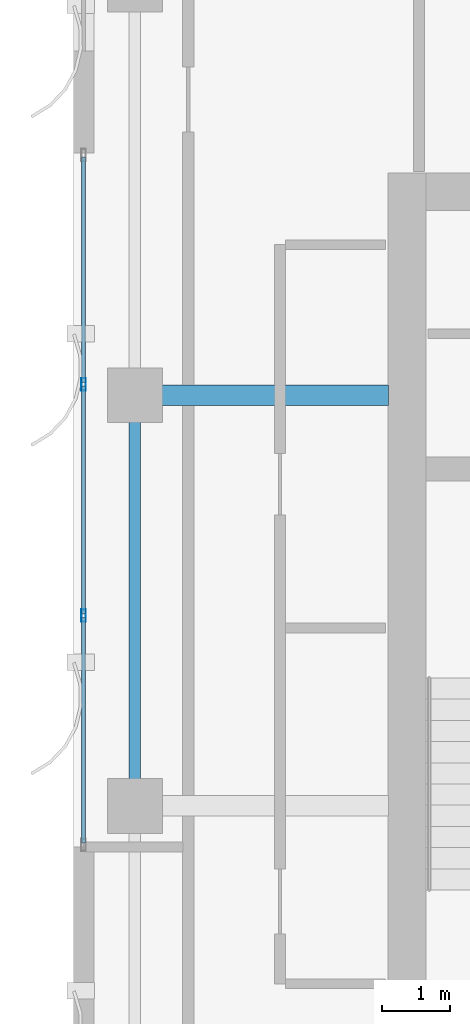
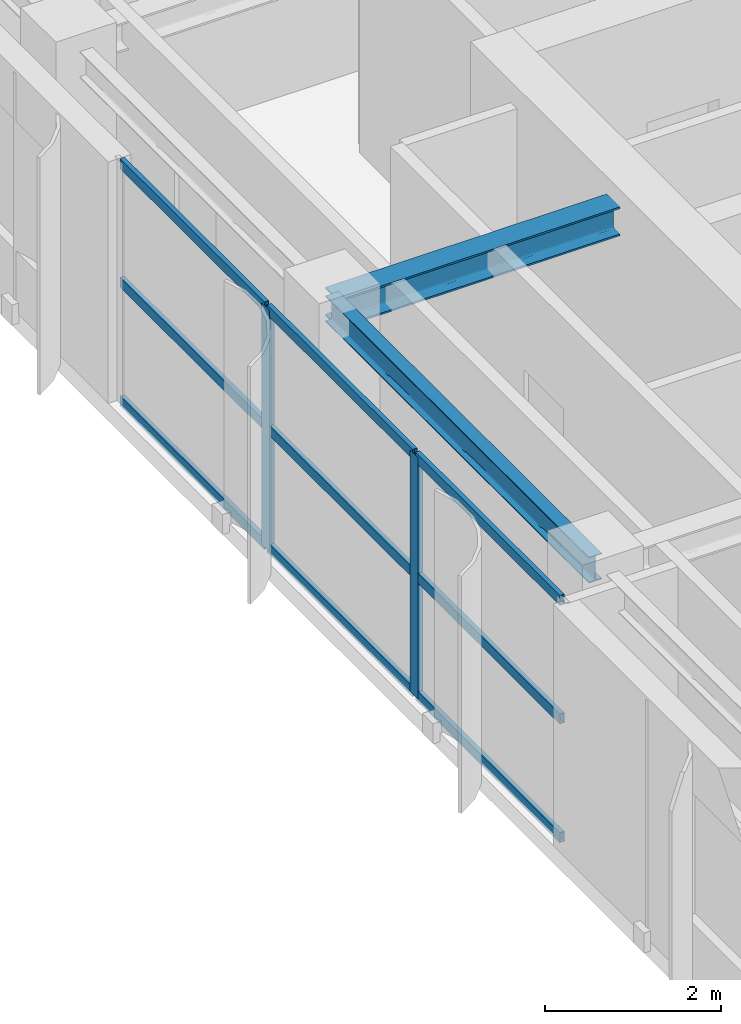
# One storey, part 6 of 24: 11 members, 2 beams, 1 element without a shape of its own.
"""IFC4 building model written with IfcOpenShell, lengths in metres."""

import ifcopenshell
import ifcopenshell.guid

model = None  # the IFC model being written
_history = None  # IfcOwnerHistory: only IFC2X3 demands one
_inside = {}  # id of a spatial element -> (the spatial element, [elements in it])
_under = {}  # id of a project, library or spatial element -> (it, [spatial elements below it])
_declared = {}  # id of a project -> (the project, [libraries it declares])
_typed = {}  # id of a type object -> (the type object, [elements of that type])
_made_of = {}  # id of a material, layer set ... -> (it, [elements and type objects made of it])


def new_model(schema):
    """Start an empty IFC model of exactly this schema.

    Asked for "IFC4X3", IfcOpenShell would pick the latest addendum, in which some entities
    have other attributes; the version numbers below select the first issue.
    IFC2X3 requires an IfcOwnerHistory on every rooted entity: one is made here for all.
    """
    global model, _history
    if schema == "IFC4X3":
        model = ifcopenshell.file(schema_version=(4, 3, 0, 0))
    else:
        model = ifcopenshell.file(schema=schema)
    _inside.clear()
    _under.clear()
    _declared.clear()
    _typed.clear()
    _made_of.clear()
    _history = None
    if model.schema == "IFC2X3":
        org = make("IfcOrganization", Name="unknown")
        user = make(
            "IfcPersonAndOrganization",
            ThePerson=make("IfcPerson", FamilyName="unknown"),
            TheOrganization=org,
        )
        app = make(
            "IfcApplication",
            ApplicationDeveloper=org,
            Version="unknown",
            ApplicationFullName="unknown",
            ApplicationIdentifier="unknown",
        )
        _history = make(
            "IfcOwnerHistory",
            OwningUser=user,
            OwningApplication=app,
            ChangeAction="ADDED",
            CreationDate=0,
        )
    return model


def make(cls, **values):
    """One entity of the class cls with the attributes given. An attribute that is None is left unset."""
    return model.create_entity(
        cls, **{name: value for name, value in values.items() if value is not None}
    )


def rooted(cls, **values):
    """An entity with a GlobalId (a new one), such as an element, a storey or a relation."""
    return make(cls, GlobalId=ifcopenshell.guid.new(), OwnerHistory=_history, **values)


def si_unit(unit_type, name, prefix=None):
    """IfcSIUnit, for example si_unit("LENGTHUNIT", "METRE", prefix="MILLI")."""
    return make("IfcSIUnit", UnitType=unit_type, Prefix=prefix, Name=name)


def assignment(units):
    """IfcUnitAssignment: the units of a project."""
    return None if units is None else make("IfcUnitAssignment", Units=units)


def point(xyz):
    """IfcCartesianPoint."""
    return None if xyz is None else make("IfcCartesianPoint", Coordinates=xyz)


def direction(xyz):
    """IfcDirection."""
    return None if xyz is None else make("IfcDirection", DirectionRatios=xyz)


def frame(location, z_axis=None, x_axis=None):
    """IfcAxis2Placement3D, a coordinate frame: its origin and axes. An axis left out is left unset."""
    return make(
        "IfcAxis2Placement3D",
        Location=point(location),
        Axis=direction(z_axis),
        RefDirection=direction(x_axis),
    )


def frame_2d(location, x_axis=None):
    """IfcAxis2Placement2D, a coordinate frame in the plane: its origin and x axis."""
    return make(
        "IfcAxis2Placement2D", Location=point(location), RefDirection=direction(x_axis)
    )


def origin():
    """The frame at (0, 0, 0) with its axes left unset."""
    return frame((0.0, 0.0, 0.0))


def origin_2d():
    """The frame at (0, 0) in the plane with its x axis left unset."""
    return frame_2d((0.0, 0.0))


def place(relative_to, where):
    """IfcLocalPlacement: puts the frame where relative to a parent placement (None: the world)."""
    return make(
        "IfcLocalPlacement", PlacementRelTo=relative_to, RelativePlacement=where
    )


def context(
    kind, dimensions, precision=None, world=None, true_north=None, identifier=None
):
    """IfcGeometricRepresentationContext, for example the 3D "Model" context."""
    return make(
        "IfcGeometricRepresentationContext",
        ContextIdentifier=identifier,
        ContextType=kind,
        CoordinateSpaceDimension=dimensions,
        Precision=precision,
        WorldCoordinateSystem=world,
        TrueNorth=true_north,
    )


def subcontext(parent, identifier, kind, view, scale=None):
    """IfcGeometricRepresentationSubContext, for example "Body" below "Model"."""
    return make(
        "IfcGeometricRepresentationSubContext",
        ContextIdentifier=identifier,
        ContextType=kind,
        ParentContext=parent,
        TargetScale=scale,
        TargetView=view,
    )


def project(units=None, contexts=None):
    """IfcProject with its units and contexts."""
    return rooted(
        "IfcProject",
        Name="project",
        RepresentationContexts=contexts,
        UnitsInContext=assignment(units),
    )


def spatial(cls, under=None, at=None, **own):
    """A site, building, storey or space (cls), placed at a placement, below another one or the project."""
    s = rooted(cls, ObjectPlacement=at, **own)
    if under is not None:
        _under.setdefault(under.id(), (under, []))[1].append(s)
    return s


def profile(cls, at=None, kind="AREA", **sizes):
    """A parametric profile (cls). Its sizes go by their IFC names, for example OverallWidth=200.0."""
    return make(cls, ProfileType=kind, Position=at, **sizes)


def hollow_rectangle(**sizes):
    """IfcRectangleHollowProfileDef."""
    return profile("IfcRectangleHollowProfileDef", **sizes)


def i_section(**sizes):
    """IfcIShapeProfileDef."""
    return profile("IfcIShapeProfileDef", **sizes)


def extrude(swept, where, along, depth):
    """IfcExtrudedAreaSolid: the profile swept, set in the frame where, extruded along a direction by depth."""
    return make(
        "IfcExtrudedAreaSolid",
        SweptArea=swept,
        Position=where,
        ExtrudedDirection=direction(along),
        Depth=depth,
    )


def shape(context_of_items, identifier, shape_type, items):
    """IfcShapeRepresentation: the items that make up one representation, for example the "Body"."""
    return make(
        "IfcShapeRepresentation",
        ContextOfItems=context_of_items,
        RepresentationIdentifier=identifier,
        RepresentationType=shape_type,
        Items=items,
    )


def source(mapping_origin, context_of_items, identifier, shape_type, items):
    """IfcRepresentationMap: a shape defined once, which mapped items show again and again."""
    return make(
        "IfcRepresentationMap",
        MappingOrigin=mapping_origin,
        MappedRepresentation=shape(context_of_items, identifier, shape_type, items),
    )


def transform(
    local_origin,
    x_axis=None,
    y_axis=None,
    z_axis=None,
    scale=None,
    scale2=None,
    scale3=None,
    uniform=True,
):
    """IfcCartesianTransformationOperator3D, or its non-uniform kind. x_axis, y_axis, z_axis: its Axis1, 2, 3."""
    if uniform:
        return make(
            "IfcCartesianTransformationOperator3D",
            Axis1=direction(x_axis),
            Axis2=direction(y_axis),
            LocalOrigin=point(local_origin),
            Scale=scale,
            Axis3=direction(z_axis),
        )
    return make(
        "IfcCartesianTransformationOperator3DnonUniform",
        Axis1=direction(x_axis),
        Axis2=direction(y_axis),
        LocalOrigin=point(local_origin),
        Scale=scale,
        Axis3=direction(z_axis),
        Scale2=scale2,
        Scale3=scale3,
    )


def mapped(mapping_source, mapping_target):
    """IfcMappedItem: shows the shape of a source again, moved by a transform."""
    return make(
        "IfcMappedItem", MappingSource=mapping_source, MappingTarget=mapping_target
    )


def material(Name=None, Category=None):
    """IfcMaterial."""
    return make("IfcMaterial", Name=Name, Category=Category)


def layer(
    of_material, thickness, ventilated=None, Name=None, Category=None, Priority=None
):
    """IfcMaterialLayer: one layer of a wall or slab, of a material (None: an air gap)."""
    return make(
        "IfcMaterialLayer",
        Material=of_material,
        LayerThickness=thickness,
        IsVentilated=ventilated,
        Name=Name,
        Category=Category,
        Priority=Priority,
    )


def layer_set(layers, Name=None):
    """IfcMaterialLayerSet."""
    return make("IfcMaterialLayerSet", MaterialLayers=layers, LayerSetName=Name)


def material_profile(
    of_material, cross_section, Name=None, Category=None, Priority=None
):
    """IfcMaterialProfile: a cross section and its material."""
    return make(
        "IfcMaterialProfile",
        Name=Name,
        Material=of_material,
        Profile=cross_section,
        Priority=Priority,
        Category=Category,
    )


def profile_set(profiles, Name=None, composite=None):
    """IfcMaterialProfileSet."""
    return make(
        "IfcMaterialProfileSet",
        Name=Name,
        MaterialProfiles=profiles,
        CompositeProfile=composite,
    )


def made_of(thing, what):
    """Note that an element or type object is made of a material, layer set ...; save() writes the relation."""
    if what is not None:
        _made_of.setdefault(what.id(), (what, []))[1].append(thing)
    return thing


def type_object(cls, material=None, **own):
    """A type object (cls), such as IfcWallType, which elements share."""
    return made_of(rooted(cls, **own), material)


def element(
    cls,
    number,
    at=None,
    inside=None,
    cuts=None,
    type_object=None,
    material=None,
    context=None,
    identifier="Body",
    shape_type=None,
    held_by="IfcProductDefinitionShape",
    body=None,
    shapes=None,
    **own,
):
    """One element of the class cls, such as IfcWall. Its Tag is "e" and its number.

    at: its placement. inside: the storey or other place that contains it. cuts: it is an
    opening in that element (IfcRelVoidsElement). A single representation is given by context,
    identifier, shape_type and body (its items); several are given by shapes. held_by: the class
    of the entity that holds the representations. save() writes the other relations.
    """
    e = rooted(cls, Tag="e%d" % number, ObjectPlacement=at, **own)
    if body is not None:
        shapes = [shape(context, identifier, shape_type, body)]
    if shapes is not None:
        e.Representation = make(held_by, Representations=shapes)
    if inside is not None:
        _inside.setdefault(inside.id(), (inside, []))[1].append(e)
    if cuts is not None:
        rooted(
            "IfcRelVoidsElement", RelatingBuildingElement=cuts, RelatedOpeningElement=e
        )
    if type_object is not None:
        _typed.setdefault(type_object.id(), (type_object, []))[1].append(e)
    return made_of(e, material)


def aggregate(whole, parts):
    """IfcRelAggregates: a whole, such as a stair, and the parts it consists of."""
    return rooted("IfcRelAggregates", RelatingObject=whole, RelatedObjects=parts)


def save(model, path):
    """Write the relations noted so far, then the file.

    IfcRelAggregates (storeys below a building ...), IfcRelContainedInSpatialStructure (elements
    in a storey), IfcRelDefinesByType, IfcRelAssociatesMaterial and IfcRelDeclares: one each for
    every whole, place, type object, material and project.
    """
    for whole, parts in _under.values():
        aggregate(whole, parts)
    for where, things in _inside.values():
        rooted(
            "IfcRelContainedInSpatialStructure",
            RelatedElements=things,
            RelatingStructure=where,
        )
    for kind, things in _typed.values():
        rooted("IfcRelDefinesByType", RelatedObjects=things, RelatingType=kind)
    for what, things in _made_of.values():
        rooted("IfcRelAssociatesMaterial", RelatedObjects=things, RelatingMaterial=what)
    for by, libraries in _declared.values():
        rooted("IfcRelDeclares", RelatingContext=by, RelatedDefinitions=libraries)
    model.write(path)


model = new_model("IFC4")

# Units and contexts
model_context = context("Model", 3, precision=1e-05, world=origin(), true_north=direction((0.0, 1.0)))
body_context = subcontext(model_context, "Body", "Model", "MODEL_VIEW")
ifc_project = project(units=[si_unit("LENGTHUNIT", "METRE"), si_unit("AREAUNIT", "SQUARE_METRE"), si_unit("VOLUMEUNIT", "CUBIC_METRE"), si_unit("PLANEANGLEUNIT", "RADIAN"), si_unit("MASSUNIT", "GRAM", prefix="KILO")], contexts=[model_context])

# Site, building, storey
site_placement = place(None, origin())
site = spatial("IfcSite", under=ifc_project, at=site_placement, CompositionType="ELEMENT")
building_placement = place(site_placement, origin())
building = spatial("IfcBuilding", under=site, at=building_placement, Name="Khoralis Quay Care Tower", CompositionType="ELEMENT")
storey_placement = place(building_placement, frame((0.0, 0.0, 249.300048828125)))
storey = spatial("IfcBuildingStorey", under=building, at=storey_placement, Name="L65", CompositionType="ELEMENT", Elevation=249.300048828125)

# Beams
ifc_material_1 = material(Name="Steel S355", Category="steel")
ifc_material_profile_1 = material_profile(ifc_material_1, i_section(OverallWidth=0.169921875, OverallDepth=0.360107421875, WebThickness=0.008056640625, FlangeThickness=0.0126953125, FilletRadius=0.01806640625, at=origin_2d()), Name="Steel S355")
ifc_profile_set_1 = profile_set([ifc_material_profile_1], Name="Steel S355")
beam_type_1 = type_object("IfcBeamType", Name="BM-IPE360", PredefinedType="SPANDREL", material=ifc_profile_set_1)
shared_shape_1 = source(origin(), body_context, "Body", "SweptSolid", [
    extrude(i_section(OverallWidth=0.169921875, OverallDepth=0.360107421875, WebThickness=0.008056640625, FlangeThickness=0.0126953125, FilletRadius=0.01806640625, at=origin_2d()), origin(), (0.0, 0.0, 1.0), 6.0),
])
beam_1_placement = place(storey_placement, frame((3.89990234375, 18.0, 3.179931640625), z_axis=(0.0, 1.0, 0.0), x_axis=(-1.0, 0.0, 0.0)))
element("IfcBeam", 1, at=beam_1_placement, inside=storey, type_object=beam_type_1, Name="BM-TSP-L65-06", PredefinedType="SPANDREL", context=body_context, shape_type="MappedRepresentation", body=[
    mapped(shared_shape_1, transform((0.0, 0.0, 0.0), scale=1.0)),
])
ifc_material_profile_2 = material_profile(ifc_material_1, i_section(OverallWidth=0.300048828125, OverallDepth=0.39990234375, WebThickness=0.013427734375, FlangeThickness=0.02392578125, FilletRadius=0.027099609375, at=origin_2d()), Name="Steel S355")
ifc_profile_set_2 = profile_set([ifc_material_profile_2], Name="Steel S355")
beam_type_2 = type_object("IfcBeamType", Name="BM-HEB400", PredefinedType="BEAM", material=ifc_profile_set_2)
shared_shape_2 = source(origin(), body_context, "Body", "SweptSolid", [
    extrude(i_section(OverallWidth=0.300048828125, OverallDepth=0.39990234375, WebThickness=0.013427734375, FlangeThickness=0.02392578125, FilletRadius=0.027099609375, at=origin_2d()), origin(), (0.0, 0.0, 1.0), 3.7021484375),
])
beam_2_placement = place(storey_placement, frame((3.89990234375, 24.0, 3.159912109375), z_axis=(1.0, 0.0, 0.0), x_axis=(0.0, 1.0, 0.0)))
element("IfcBeam", 2, at=beam_2_placement, inside=storey, type_object=beam_type_2, Name="BM-TGXW-L65-240", PredefinedType="BEAM", context=body_context, shape_type="MappedRepresentation", body=[
    mapped(shared_shape_2, transform((0.0, 0.0, 0.0), scale=1.0)),
])

# Curtain wall, members
ifc_material_2 = material(Name="Pale anodised aluminium", Category="aluminium")
ifc_layer = layer(ifc_material_2, 0.159912109375)
ifc_layer_set = layer_set([ifc_layer], Name="Pale anodised aluminium")
curtain_wall_type = type_object("IfcCurtainWallType", Name="CW-SYS-Z3", PredefinedType="NOTDEFINED", material=ifc_layer_set)
curtain_wall_placement = place(storey_placement, origin())
curtain_wall = element("IfcCurtainWall", 3, at=curtain_wall_placement, inside=storey, type_object=curtain_wall_type, Name="L65 Unitised Curtain Wall CW-L65-P1-E7", PredefinedType="NOTDEFINED")
ifc_material_profile_3 = material_profile(ifc_material_2, hollow_rectangle(XDim=0.06005859375, YDim=0.139892578125, WallThickness=0.00390625, at=origin_2d()), Name="Pale anodised aluminium")
ifc_profile_set_3 = profile_set([ifc_material_profile_3], Name="Pale anodised aluminium")
member_type_1 = type_object("IfcMemberType", Name="CW-TRN-140", PredefinedType="USERDEFINED", material=ifc_profile_set_3)
shared_shape_3 = source(origin(), body_context, "Body", "SweptSolid", [
    extrude(hollow_rectangle(XDim=0.06005859375, YDim=0.139892578125, WallThickness=0.00390625, at=origin_2d()), origin(), (0.0, 0.0, 1.0), 3.2900390625),
])
member_1_placement = place(storey_placement, frame((3.14990234375, 27.47998046875, 0.030029296875), z_axis=(0.0, -1.0, 0.0), x_axis=(1.0, 0.0, 0.0)))
member_1 = element("IfcMember", 4, at=member_1_placement, type_object=member_type_1, Name="CW3 transom 1.1", ObjectType="TRANSOM", PredefinedType="USERDEFINED", context=body_context, shape_type="MappedRepresentation", body=[
    mapped(shared_shape_3, transform((0.0, 0.0, 0.0), scale=1.0)),
])
member_2_placement = place(storey_placement, frame((3.14990234375, 27.47998046875, 1.679931640625), z_axis=(0.0, -1.0, 0.0), x_axis=(1.0, 0.0, 0.0)))
member_2 = element("IfcMember", 5, at=member_2_placement, type_object=member_type_1, Name="CW3 transom 1.2", ObjectType="TRANSOM", PredefinedType="USERDEFINED", context=body_context, shape_type="MappedRepresentation", body=[
    mapped(shared_shape_3, transform((0.0, 0.0, 0.0), scale=1.0)),
])
member_3_placement = place(storey_placement, frame((3.14990234375, 27.47998046875, 3.329833984375), z_axis=(0.0, -1.0, 0.0), x_axis=(1.0, 0.0, 0.0)))
member_3 = element("IfcMember", 6, at=member_3_placement, type_object=member_type_1, Name="CW3 transom 1.3", ObjectType="TRANSOM", PredefinedType="USERDEFINED", context=body_context, shape_type="MappedRepresentation", body=[
    mapped(shared_shape_3, transform((0.0, 0.0, 0.0), scale=1.0)),
])
member_4_placement = place(storey_placement, frame((3.14990234375, 20.75, 0.030029296875), z_axis=(0.0, -1.0, 0.0), x_axis=(1.0, 0.0, 0.0)))
member_4 = element("IfcMember", 7, at=member_4_placement, type_object=member_type_1, Name="CW3 transom 3.1", ObjectType="TRANSOM", PredefinedType="USERDEFINED", context=body_context, shape_type="MappedRepresentation", body=[
    mapped(shared_shape_3, transform((0.0, 0.0, 0.0), scale=1.0)),
])
member_5_placement = place(storey_placement, frame((3.14990234375, 20.75, 1.679931640625), z_axis=(0.0, -1.0, 0.0), x_axis=(1.0, 0.0, 0.0)))
member_5 = element("IfcMember", 8, at=member_5_placement, type_object=member_type_1, Name="CW3 transom 3.2", ObjectType="TRANSOM", PredefinedType="USERDEFINED", context=body_context, shape_type="MappedRepresentation", body=[
    mapped(shared_shape_3, transform((0.0, 0.0, 0.0), scale=1.0)),
])
member_6_placement = place(storey_placement, frame((3.14990234375, 20.75, 3.329833984375), z_axis=(0.0, -1.0, 0.0), x_axis=(1.0, 0.0, 0.0)))
member_6 = element("IfcMember", 9, at=member_6_placement, type_object=member_type_1, Name="CW3 transom 3.3", ObjectType="TRANSOM", PredefinedType="USERDEFINED", context=body_context, shape_type="MappedRepresentation", body=[
    mapped(shared_shape_3, transform((0.0, 0.0, 0.0), scale=1.0)),
])
shared_shape_4 = source(origin(), body_context, "Body", "SweptSolid", [
    extrude(hollow_rectangle(XDim=0.06005859375, YDim=0.139892578125, WallThickness=0.00390625, at=origin_2d()), origin(), (0.0, 0.0, 1.0), 3.31982421875),
])
member_7_placement = place(storey_placement, frame((3.14990234375, 24.1298828125, 0.030029296875), z_axis=(0.0, -1.0, 0.0), x_axis=(1.0, 0.0, 0.0)))
member_7 = element("IfcMember", 10, at=member_7_placement, type_object=member_type_1, Name="CW3 transom 2.1", ObjectType="TRANSOM", PredefinedType="USERDEFINED", context=body_context, shape_type="MappedRepresentation", body=[
    mapped(shared_shape_4, transform((0.0, 0.0, 0.0), scale=1.0)),
])
member_8_placement = place(storey_placement, frame((3.14990234375, 24.1298828125, 1.679931640625), z_axis=(0.0, -1.0, 0.0), x_axis=(1.0, 0.0, 0.0)))
member_8 = element("IfcMember", 11, at=member_8_placement, type_object=member_type_1, Name="CW3 transom 2.2", ObjectType="TRANSOM", PredefinedType="USERDEFINED", context=body_context, shape_type="MappedRepresentation", body=[
    mapped(shared_shape_4, transform((0.0, 0.0, 0.0), scale=1.0)),
])
member_9_placement = place(storey_placement, frame((3.14990234375, 24.1298828125, 3.329833984375), z_axis=(0.0, -1.0, 0.0), x_axis=(1.0, 0.0, 0.0)))
member_9 = element("IfcMember", 12, at=member_9_placement, type_object=member_type_1, Name="CW3 transom 2.3", ObjectType="TRANSOM", PredefinedType="USERDEFINED", context=body_context, shape_type="MappedRepresentation", body=[
    mapped(shared_shape_4, transform((0.0, 0.0, 0.0), scale=1.0)),
])
ifc_material_profile_4 = material_profile(ifc_material_2, hollow_rectangle(XDim=0.06494140625, YDim=0.179931640625, WallThickness=0.00390625, at=origin_2d()), Name="Pale anodised aluminium")
ifc_profile_set_4 = profile_set([ifc_material_profile_4], Name="Pale anodised aluminium")
member_type_2 = type_object("IfcMemberType", Name="CW-MUL-180", PredefinedType="MULLION", material=ifc_profile_set_4)
shared_shape_5 = source(origin(), body_context, "Body", "SweptSolid", [
    extrude(hollow_rectangle(XDim=0.06494140625, YDim=0.179931640625, WallThickness=0.00390625, at=origin_2d()), origin(), (0.0, 0.0, 1.0), 3.35986328125),
])
member_10_placement = place(storey_placement, frame((3.14990234375, 24.159912109375, 0.0), z_axis=(0.0, 0.0, 1.0), x_axis=(1.0, 0.0, 0.0)))
member_10 = element("IfcMember", 13, at=member_10_placement, type_object=member_type_2, Name="CW3 mullion 2", PredefinedType="MULLION", context=body_context, shape_type="MappedRepresentation", body=[
    mapped(shared_shape_5, transform((0.0, 0.0, 0.0), scale=1.0)),
])
member_11_placement = place(storey_placement, frame((3.14990234375, 20.780029296875, 0.0), z_axis=(0.0, 0.0, 1.0), x_axis=(1.0, 0.0, 0.0)))
member_11 = element("IfcMember", 14, at=member_11_placement, type_object=member_type_2, Name="CW3 mullion 3", PredefinedType="MULLION", context=body_context, shape_type="MappedRepresentation", body=[
    mapped(shared_shape_5, transform((0.0, 0.0, 0.0), scale=1.0)),
])
aggregate(curtain_wall, [member_10, member_11, member_1, member_2, member_3, member_7, member_8, member_9, member_4, member_5, member_6])

save(model, "model.ifc")
